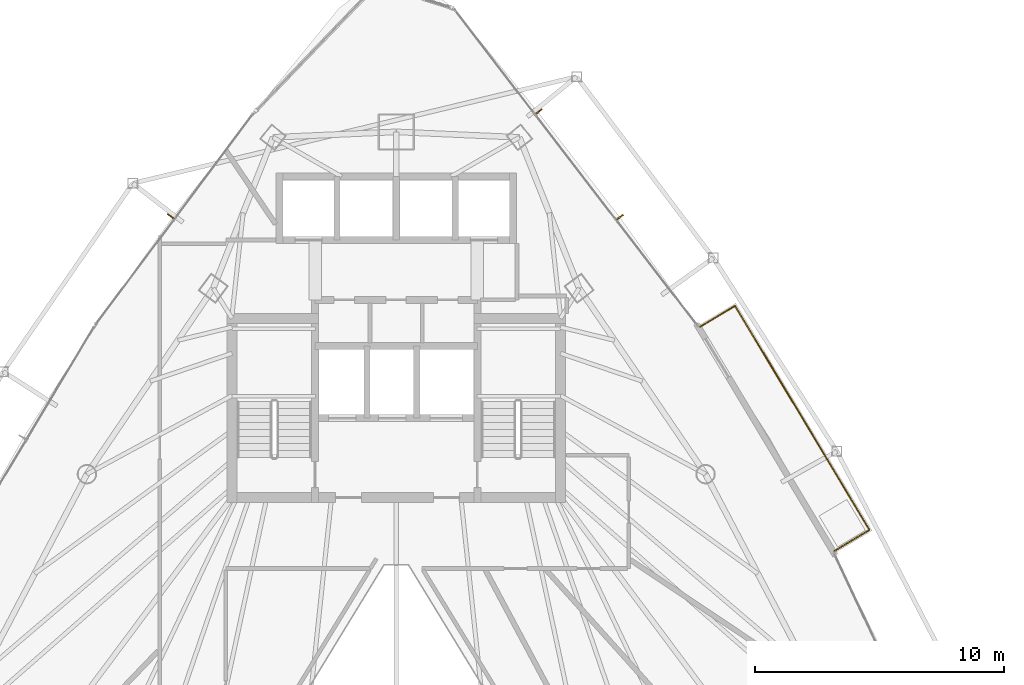
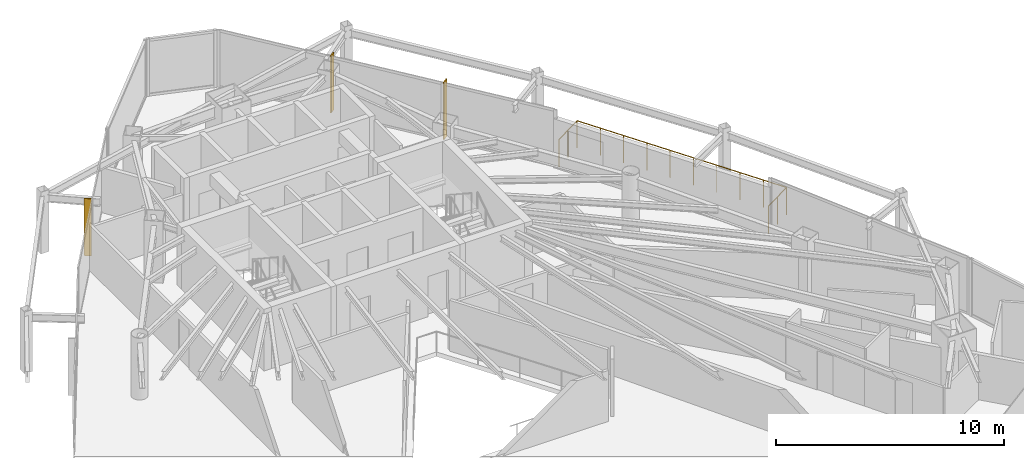
# One storey, part 30 of 30: 3 shading devices, 1 railing.
"""IFC4 building model written with IfcOpenShell, lengths in metres."""

from ifc_helpers import new_model, si_unit, direction, frame, origin, origin_2d, place, context, subcontext, project, spatial, rectangle, circle, extrude, material, layer, layer_set, type_object, element, save


model = new_model("IFC4")

# Units and contexts
model_context = context("Model", 3, precision=1e-05, world=origin(), true_north=direction((0.0, 1.0)))
body_context = subcontext(model_context, "Body", "Model", "MODEL_VIEW")
ifc_project = project(units=[si_unit("LENGTHUNIT", "METRE"), si_unit("AREAUNIT", "SQUARE_METRE"), si_unit("VOLUMEUNIT", "CUBIC_METRE"), si_unit("PLANEANGLEUNIT", "RADIAN"), si_unit("MASSUNIT", "GRAM", prefix="KILO")], contexts=[model_context])

# Site, building, storey
site_placement = place(None, origin())
site = spatial("IfcSite", under=ifc_project, at=site_placement, CompositionType="ELEMENT")
building_placement = place(site_placement, origin())
building = spatial("IfcBuilding", under=site, at=building_placement, Name="Orvanel Arch Residences", CompositionType="ELEMENT")
storey_placement = place(building_placement, frame((0.0, 0.0, 180.35009765625)))
storey = spatial("IfcBuildingStorey", under=building, at=storey_placement, Name="L51", CompositionType="ELEMENT", Elevation=180.35009765625)

# Shading devices
ifc_material = material(Name="Bronze-anodised aluminium AA6063-T6", Category="aluminium")
ifc_layer = layer(ifc_material, 0.054931640625)
ifc_layer_set = layer_set([ifc_layer], Name="Bronze-anodised aluminium AA6063-T6")
shading_device_type = type_object("IfcShadingDeviceType", Name="FIN-BRZ-320", PredefinedType="USERDEFINED", material=ifc_layer_set)
for number, where, z_axis, x_axis, name in (
    (1, (23.93701171875, 38.0029296875, -0.000244140625), (0.0, 0.0, 1.0), (-0.800731370949, 0.599023598516, 0.0), "L51 Anodised Bronze Mullion FIN 01"),
    (2, (41.992919921875, 37.971923828125, -0.000244140625), (0.0, 0.0, 1.0), (0.792289643355, 0.610145163901, 0.0), "L51 Anodised Bronze Mullion FIN 01"),
    (3, (38.73095703125, 42.215087890625, -0.000244140625), (0.0, 0.0, 1.0), (0.792289643355, 0.610145163901, 0.0), "L51 Anodised Bronze Mullion FIN 02"),
):
    element("IfcShadingDevice", number, at=place(storey_placement, frame(where, z_axis=z_axis, x_axis=x_axis)), inside=storey, type_object=shading_device_type, Name=name, ObjectType="FIN", PredefinedType="USERDEFINED", context=body_context, shape_type="SweptSolid", body=[
        extrude(rectangle(XDim=0.320068359375, YDim=0.054931640625, at=origin_2d()), origin(), (0.0, 0.0, 1.0), 3.06005859375),
    ])

# Railing
railing_type = type_object("IfcRailingType", Name="RL-BAL-1480", PredefinedType="BALUSTRADE", material=ifc_material)
railing_placement = place(storey_placement, frame((50.612060546875, 24.555908203125, 0.0)))
element("IfcRailing", 4, at=railing_placement, inside=storey, type_object=railing_type, Name="L51 Balcony Perimeter Guardrail Face 3", PredefinedType="BALUSTRADE", context=body_context, shape_type="SweptSolid", body=[
    extrude(circle(Radius=0.02392578125, at=origin_2d()), frame((0.001220703125, 0.000732421875, 1.4560546875), z_axis=(0.857545439568, 0.514408222208, 0.0), x_axis=(-0.514408222208, 0.857545439568, 0.0)), (0.0, 0.0, 1.0), 1.6376953125),
    extrude(circle(Radius=0.02392578125, at=origin_2d()), frame((1.40625, 0.84521484375, 1.4560546875), z_axis=(-0.514358984381, 0.857574973507, 0.0), x_axis=(-0.857574973507, -0.514358984381, 0.0)), (0.0, 0.0, 1.0), 10.497802734375),
    extrude(circle(Radius=0.02392578125, at=origin_2d()), frame((-3.995361328125, 9.848388671875, 1.4560546875), z_axis=(-0.857387817543, -0.514670895164, 0.0), x_axis=(0.514670895164, -0.857387817543, 0.0)), (0.0, 0.0, 1.0), 1.636962890625),
    extrude(circle(Radius=0.02099609375, at=origin_2d()), origin(), (0.0, 0.0, 1.0), 1.429931640625),
    extrude(circle(Radius=0.02099609375, at=origin_2d()), frame((0.70361328125, 0.421875, 0.0)), (0.0, 0.0, 1.0), 1.429931640625),
    extrude(circle(Radius=0.02099609375, at=origin_2d()), frame((1.406982421875, 0.843994140625, 0.0)), (0.0, 0.0, 1.0), 1.429931640625),
    extrude(circle(Radius=0.02099609375, at=origin_2d()), frame((0.806884765625, 1.844482421875, 0.0)), (0.0, 0.0, 1.0), 1.429931640625),
    extrude(circle(Radius=0.02099609375, at=origin_2d()), frame((0.206787109375, 2.84521484375, 0.0)), (0.0, 0.0, 1.0), 1.429931640625),
    extrude(circle(Radius=0.02099609375, at=origin_2d()), frame((-0.393310546875, 3.845703125, 0.0)), (0.0, 0.0, 1.0), 1.429931640625),
    extrude(circle(Radius=0.02099609375, at=origin_2d()), frame((-0.993408203125, 4.84619140625, 0.0)), (0.0, 0.0, 1.0), 1.429931640625),
    extrude(circle(Radius=0.02099609375, at=origin_2d()), frame((-1.59375, 5.846923828125, 0.0)), (0.0, 0.0, 1.0), 1.429931640625),
    extrude(circle(Radius=0.02099609375, at=origin_2d()), frame((-2.19384765625, 6.847412109375, 0.0)), (0.0, 0.0, 1.0), 1.429931640625),
    extrude(circle(Radius=0.02099609375, at=origin_2d()), frame((-2.7939453125, 7.847900390625, 0.0)), (0.0, 0.0, 1.0), 1.429931640625),
    extrude(circle(Radius=0.02099609375, at=origin_2d()), frame((-3.39404296875, 8.8486328125, 0.0)), (0.0, 0.0, 1.0), 1.429931640625),
    extrude(circle(Radius=0.02099609375, at=origin_2d()), frame((-3.994140625, 9.84912109375, 0.0)), (0.0, 0.0, 1.0), 1.429931640625),
    extrude(circle(Radius=0.02099609375, at=origin_2d()), frame((-4.697265625, 9.42724609375, 0.0)), (0.0, 0.0, 1.0), 1.429931640625),
    extrude(circle(Radius=0.02099609375, at=origin_2d()), frame((-5.400146484375, 9.005126953125, 0.0)), (0.0, 0.0, 1.0), 1.429931640625),
])

save(model, "model.ifc")
